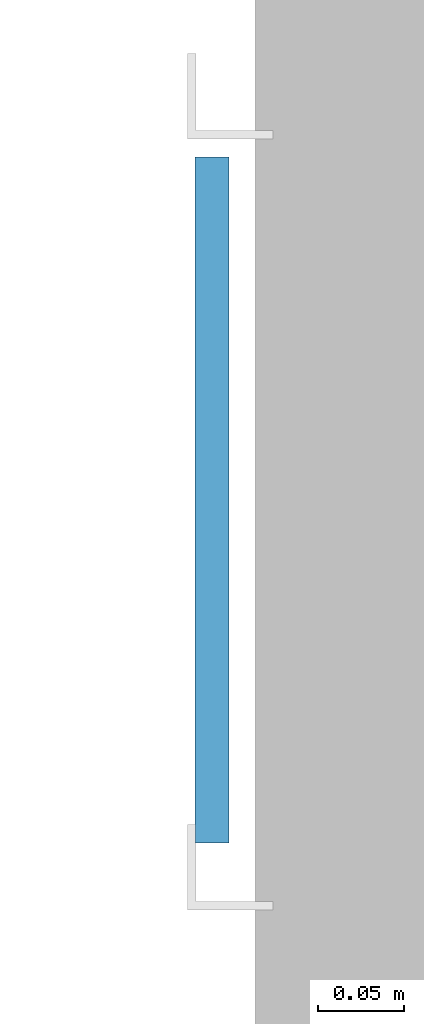
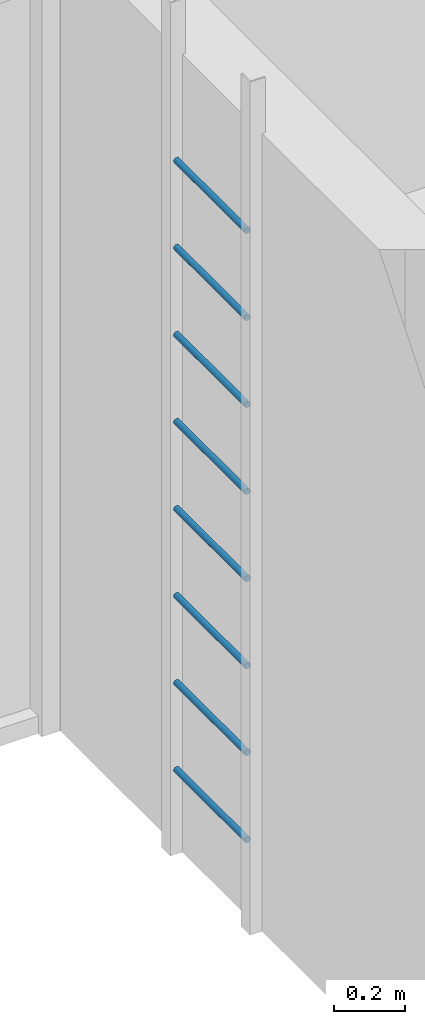
# One storey, part 18 of 64: 8 members.
"""IFC4 building model written with IfcOpenShell, lengths in metres."""

from ifc_helpers import new_model, si_unit, direction, frame, origin, origin_2d, place, context, subcontext, project, spatial, circle, extrude, material, material_profile, profile_set, type_object, element, save


model = new_model("IFC4")

# Units and contexts
model_context = context("Model", 3, precision=1e-05, world=origin(), true_north=direction((0.0, 1.0)))
body_context = subcontext(model_context, "Body", "Model", "MODEL_VIEW")
ifc_project = project(units=[si_unit("LENGTHUNIT", "METRE"), si_unit("AREAUNIT", "SQUARE_METRE"), si_unit("VOLUMEUNIT", "CUBIC_METRE"), si_unit("PLANEANGLEUNIT", "RADIAN"), si_unit("MASSUNIT", "GRAM", prefix="KILO")], contexts=[model_context])

# Site, building, storey
site_placement = place(None, origin())
site = spatial("IfcSite", under=ifc_project, at=site_placement, CompositionType="ELEMENT")
building_placement = place(site_placement, origin())
building = spatial("IfcBuilding", under=site, at=building_placement, Name="Ridgestep Commons", CompositionType="ELEMENT")
storey_placement = place(building_placement, frame((0.0, 0.0, 33.0)))
storey = spatial("IfcBuildingStorey", under=building, at=storey_placement, Name="L11", CompositionType="ELEMENT", Elevation=33.0)

# Members
ifc_material = material(Name="Structural steel S355JR", Category="steel")
ifc_material_profile = material_profile(ifc_material, circle(Radius=0.010009765625, at=origin_2d()), Name="Round bar 20")
ifc_profile_set = profile_set([ifc_material_profile], Name="Structural steel S355JR")
member_type = type_object("IfcMemberType", Name="Core ladder rung 20", PredefinedType="STRINGER", material=ifc_profile_set)
for number, where, z_axis, x_axis, name in (
    (1, (160.60009765625, 21.64990234375, 0.300048828125), (0.0, 1.0, 0.0), (-1.0, 0.0, 0.0), "Ladder rung D1C.1"),
    (2, (160.60009765625, 21.64990234375, 0.60009765625), (0.0, 1.0, 0.0), (-1.0, 0.0, 0.0), "Ladder rung D1C.2"),
    (3, (160.60009765625, 21.64990234375, 0.89990234375), (0.0, 1.0, 0.0), (-1.0, 0.0, 0.0), "Ladder rung D1C.3"),
    (4, (160.60009765625, 21.64990234375, 1.199951171875), (0.0, 1.0, 0.0), (-1.0, 0.0, 0.0), "Ladder rung D1C.4"),
    (5, (160.60009765625, 21.64990234375, 1.5), (0.0, 1.0, 0.0), (-1.0, 0.0, 0.0), "Ladder rung D1C.5"),
    (6, (160.60009765625, 21.64990234375, 1.800048828125), (0.0, 1.0, 0.0), (-1.0, 0.0, 0.0), "Ladder rung D1C.6"),
    (7, (160.60009765625, 21.64990234375, 2.10009765625), (0.0, 1.0, 0.0), (-1.0, 0.0, 0.0), "Ladder rung D1C.7"),
    (8, (160.60009765625, 21.64990234375, 2.39990234375), (0.0, 1.0, 0.0), (-1.0, 0.0, 0.0), "Ladder rung D1C.8"),
):
    element("IfcMember", number, at=place(storey_placement, frame(where, z_axis=z_axis, x_axis=x_axis)), inside=storey, type_object=member_type, Name=name, PredefinedType="STRINGER", context=body_context, shape_type="SweptSolid", body=[
        extrude(circle(Radius=0.010009765625, at=origin_2d()), origin(), (0.0, 0.0, 1.0), 0.400146484375),
    ])

save(model, "model.ifc")
